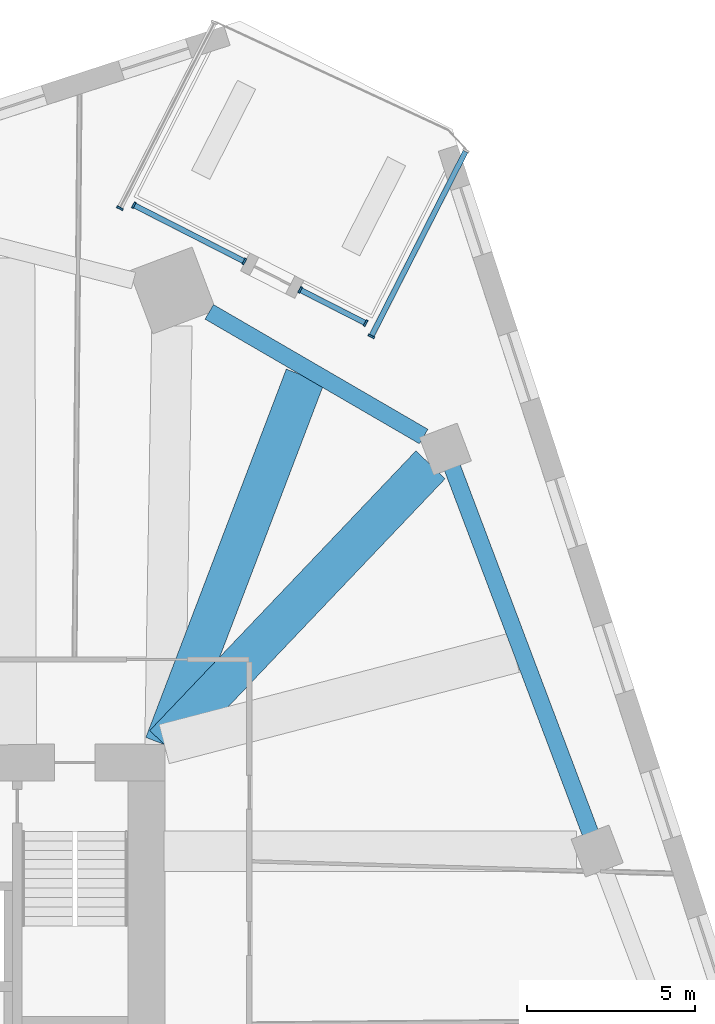
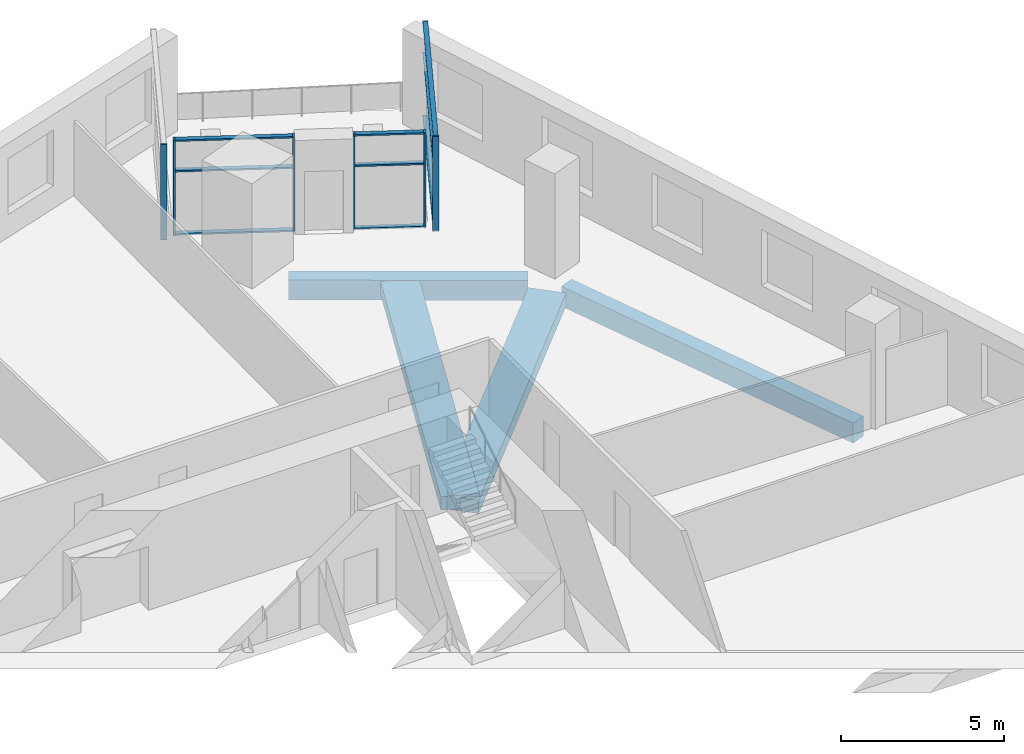
# One storey, part 2 of 12: 15 members, 4 beams, 4 elements without a shape of their own.
"""IFC4 building model written with IfcOpenShell, lengths in metres."""

from ifc_helpers import new_model, si_unit, direction, frame, origin, origin_2d, place, context, subcontext, project, spatial, rectangle, extrude, material, material_profile, profile_set, type_object, element, aggregate, save


model = new_model("IFC4")

# Units and contexts
model_context = context("Model", 3, precision=1e-05, world=origin(), true_north=direction((0.0, 1.0)))
body_context = subcontext(model_context, "Body", "Model", "MODEL_VIEW")
ifc_project = project(units=[si_unit("LENGTHUNIT", "METRE"), si_unit("AREAUNIT", "SQUARE_METRE"), si_unit("VOLUMEUNIT", "CUBIC_METRE"), si_unit("PLANEANGLEUNIT", "RADIAN"), si_unit("MASSUNIT", "GRAM", prefix="KILO")], contexts=[model_context])

# Site, building, storey
site_placement = place(None, origin())
site = spatial("IfcSite", under=ifc_project, at=site_placement, CompositionType="ELEMENT")
building_placement = place(site_placement, origin())
building = spatial("IfcBuilding", under=site, at=building_placement, Name="Dilmun Exchange Tower", CompositionType="ELEMENT")
storey_placement = place(building_placement, frame((0.0, 0.0, 94.10009765625)))
storey = spatial("IfcBuildingStorey", under=building, at=storey_placement, Name="L21", CompositionType="ELEMENT", Elevation=94.10009765625)

# Curtain wall, member
ifc_material_1 = material(Name="Anodised aluminium and clear glass", Category="aluminium")
curtain_wall_type = type_object("IfcCurtainWallType", Name="Garden corner glazing", PredefinedType="NOTDEFINED", material=ifc_material_1)
curtain_wall_1_placement = place(storey_placement, origin())
curtain_wall_1 = element("IfcCurtainWall", 1, at=curtain_wall_1_placement, inside=storey, type_object=curtain_wall_type, Name="Garden corner glazing run GC1.1", PredefinedType="NOTDEFINED")
ifc_material_2 = material(Name="Anodised aluminium", Category="aluminium")
ifc_material_profile_1 = material_profile(ifc_material_2, rectangle(XDim=0.199951171875, YDim=0.06005859375, at=origin_2d()), Name="AL 60x200")
ifc_profile_set_1 = profile_set([ifc_material_profile_1], Name="Anodised aluminium")
member_type_1 = type_object("IfcMemberType", Name="Garden corner glazing mullion 60 x 200", PredefinedType="MULLION", material=ifc_profile_set_1)
member_1_placement = place(storey_placement, frame((19.02392578125, 24.994140625, 0.0), z_axis=(0.0, 0.0, 1.0), x_axis=(0.891007485315, -0.453988613418, 0.0)))
member_1 = element("IfcMember", 2, at=member_1_placement, type_object=member_type_1, Name="GC1.1 mullion 2", PredefinedType="MULLION", context=body_context, shape_type="SweptSolid", body=[
    extrude(rectangle(XDim=0.199951171875, YDim=0.06005859375, at=origin_2d()), origin(), (0.0, 0.0, 1.0), 3.579833984375),
])

# Curtain wall, members
curtain_wall_2_placement = place(storey_placement, origin())
curtain_wall_2 = element("IfcCurtainWall", 3, at=curtain_wall_2_placement, inside=storey, type_object=curtain_wall_type, Name="Garden corner glazing run GC2.1", PredefinedType="NOTDEFINED")
member_2_placement = place(storey_placement, frame((18.8525390625, 25.384521484375, 0.0), z_axis=(0.0, 0.0, 1.0), x_axis=(-0.453971274184, -0.891016319837, 0.0)))
member_2 = element("IfcMember", 4, at=member_2_placement, type_object=member_type_1, Name="GC2.1 mullion 1", PredefinedType="MULLION", context=body_context, shape_type="SweptSolid", body=[
    extrude(rectangle(XDim=0.199951171875, YDim=0.06005859375, at=origin_2d()), origin(), (0.0, 0.0, 1.0), 3.579833984375),
])
member_3_placement = place(storey_placement, frame((16.910888671875, 26.373779296875, 0.0), z_axis=(0.0, 0.0, 1.0), x_axis=(-0.453971274184, -0.891016319837, 0.0)))
member_3 = element("IfcMember", 5, at=member_3_placement, type_object=member_type_1, Name="GC2.1 mullion 2", PredefinedType="MULLION", context=body_context, shape_type="SweptSolid", body=[
    extrude(rectangle(XDim=0.199951171875, YDim=0.06005859375, at=origin_2d()), origin(), (0.0, 0.0, 1.0), 3.579833984375),
])

curtain_wall_3_placement = place(storey_placement, origin())
curtain_wall_3 = element("IfcCurtainWall", 6, at=curtain_wall_3_placement, inside=storey, type_object=curtain_wall_type, Name="Garden corner glazing run GC2.3", PredefinedType="NOTDEFINED")
member_4_placement = place(storey_placement, frame((15.253662109375, 27.21826171875, 0.0), z_axis=(0.0, 0.0, 1.0), x_axis=(-0.453993889512, -0.891004797005, 0.0)))
member_4 = element("IfcMember", 7, at=member_4_placement, type_object=member_type_1, Name="GC2.3 mullion 1", PredefinedType="MULLION", context=body_context, shape_type="SweptSolid", body=[
    extrude(rectangle(XDim=0.199951171875, YDim=0.06005859375, at=origin_2d()), origin(), (0.0, 0.0, 1.0), 3.579833984375),
])
member_5_placement = place(storey_placement, frame((11.9755859375, 28.888671875, 0.0), z_axis=(0.0, 0.0, 1.0), x_axis=(-0.453993889512, -0.891004797005, 0.0)))
member_5 = element("IfcMember", 8, at=member_5_placement, type_object=member_type_1, Name="GC2.3 mullion 2", PredefinedType="MULLION", context=body_context, shape_type="SweptSolid", body=[
    extrude(rectangle(XDim=0.199951171875, YDim=0.06005859375, at=origin_2d()), origin(), (0.0, 0.0, 1.0), 3.579833984375),
])

# Curtain wall, member
curtain_wall_4_placement = place(storey_placement, origin())
curtain_wall_4 = element("IfcCurtainWall", 9, at=curtain_wall_4_placement, inside=storey, type_object=curtain_wall_type, Name="Garden corner glazing run GC3.1", PredefinedType="NOTDEFINED")
member_6_placement = place(storey_placement, frame((11.558837890625, 28.7978515625, 0.0), z_axis=(0.0, 0.0, 1.0), x_axis=(-0.891007485315, 0.453988613418, 0.0)))
member_6 = element("IfcMember", 10, at=member_6_placement, type_object=member_type_1, Name="GC3.1 mullion 1", PredefinedType="MULLION", context=body_context, shape_type="SweptSolid", body=[
    extrude(rectangle(XDim=0.199951171875, YDim=0.06005859375, at=origin_2d()), origin(), (0.0, 0.0, 1.0), 3.579833984375),
])
aggregate(curtain_wall_4, [member_6])

# Member
ifc_material_profile_2 = material_profile(ifc_material_2, rectangle(XDim=0.159912109375, YDim=0.06005859375, at=origin_2d()), Name="AL 60x160")
ifc_profile_set_2 = profile_set([ifc_material_profile_2], Name="Anodised aluminium")
member_type_2 = type_object("IfcMemberType", Name="Garden corner glazing transom 60 x 160", PredefinedType="USERDEFINED", material=ifc_profile_set_2)
member_7_placement = place(storey_placement, frame((21.81884765625, 30.479736328125, 0.02978515625), z_axis=(-0.453975328977, -0.891014253915, 0.0), x_axis=(0.891014253915, -0.453975328977, 0.0)))
member_7 = element("IfcMember", 11, at=member_7_placement, type_object=member_type_2, Name="GC1.1 transom 1.1", ObjectType="TRANSOM", PredefinedType="USERDEFINED", context=body_context, shape_type="SweptSolid", body=[
    extrude(rectangle(XDim=0.159912109375, YDim=0.06005859375, at=origin_2d()), origin(), (0.0, 0.0, 1.0), 6.12646484375),
])

member_8_placement = place(storey_placement, frame((21.81884765625, 30.479736328125, 2.39990234375), z_axis=(-0.453975328977, -0.891014253915, 0.0), x_axis=(0.891014253915, -0.453975328977, 0.0)))
member_8 = element("IfcMember", 12, at=member_8_placement, type_object=member_type_2, Name="GC1.1 transom 1.2", ObjectType="TRANSOM", PredefinedType="USERDEFINED", context=body_context, shape_type="SweptSolid", body=[
    extrude(rectangle(XDim=0.159912109375, YDim=0.06005859375, at=origin_2d()), origin(), (0.0, 0.0, 1.0), 6.12646484375),
])

member_9_placement = place(storey_placement, frame((21.81884765625, 30.479736328125, 3.5498046875), z_axis=(-0.453975328977, -0.891014253915, 0.0), x_axis=(0.891014253915, -0.453975328977, 0.0)))
member_9 = element("IfcMember", 13, at=member_9_placement, type_object=member_type_2, Name="GC1.1 transom 1.3", ObjectType="TRANSOM", PredefinedType="USERDEFINED", context=body_context, shape_type="SweptSolid", body=[
    extrude(rectangle(XDim=0.159912109375, YDim=0.06005859375, at=origin_2d()), origin(), (0.0, 0.0, 1.0), 6.12646484375),
])

aggregate(curtain_wall_1, [member_1, member_7, member_8, member_9])

member_10_placement = place(storey_placement, frame((18.82568359375, 25.398193359375, 0.02978515625), z_axis=(-0.890991137199, 0.454020697142, 0.0), x_axis=(-0.454020697142, -0.890991137199, 0.0)))
member_10 = element("IfcMember", 14, at=member_10_placement, type_object=member_type_2, Name="GC2.1 transom 1.1", ObjectType="TRANSOM", PredefinedType="USERDEFINED", context=body_context, shape_type="SweptSolid", body=[
    extrude(rectangle(XDim=0.159912109375, YDim=0.06005859375, at=origin_2d()), origin(), (0.0, 0.0, 1.0), 2.119140625),
])

member_11_placement = place(storey_placement, frame((18.82568359375, 25.398193359375, 2.39990234375), z_axis=(-0.890991137199, 0.454020697142, 0.0), x_axis=(-0.454020697142, -0.890991137199, 0.0)))
member_11 = element("IfcMember", 15, at=member_11_placement, type_object=member_type_2, Name="GC2.1 transom 1.2", ObjectType="TRANSOM", PredefinedType="USERDEFINED", context=body_context, shape_type="SweptSolid", body=[
    extrude(rectangle(XDim=0.159912109375, YDim=0.06005859375, at=origin_2d()), origin(), (0.0, 0.0, 1.0), 2.119140625),
])

member_12_placement = place(storey_placement, frame((18.82568359375, 25.398193359375, 3.5498046875), z_axis=(-0.890991137199, 0.454020697142, 0.0), x_axis=(-0.454020697142, -0.890991137199, 0.0)))
member_12 = element("IfcMember", 16, at=member_12_placement, type_object=member_type_2, Name="GC2.1 transom 1.3", ObjectType="TRANSOM", PredefinedType="USERDEFINED", context=body_context, shape_type="SweptSolid", body=[
    extrude(rectangle(XDim=0.159912109375, YDim=0.06005859375, at=origin_2d()), origin(), (0.0, 0.0, 1.0), 2.119140625),
])

aggregate(curtain_wall_2, [member_2, member_3, member_10, member_11, member_12])

member_13_placement = place(storey_placement, frame((15.226806640625, 27.23193359375, 0.02978515625), z_axis=(-0.891001397756, 0.454000560789, 0.0), x_axis=(-0.454000560789, -0.891001397756, 0.0)))
member_13 = element("IfcMember", 17, at=member_13_placement, type_object=member_type_2, Name="GC2.3 transom 1.1", ObjectType="TRANSOM", PredefinedType="USERDEFINED", context=body_context, shape_type="SweptSolid", body=[
    extrude(rectangle(XDim=0.159912109375, YDim=0.06005859375, at=origin_2d()), origin(), (0.0, 0.0, 1.0), 3.619140625),
])

member_14_placement = place(storey_placement, frame((15.226806640625, 27.23193359375, 2.39990234375), z_axis=(-0.891001397756, 0.454000560789, 0.0), x_axis=(-0.454000560789, -0.891001397756, 0.0)))
member_14 = element("IfcMember", 18, at=member_14_placement, type_object=member_type_2, Name="GC2.3 transom 1.2", ObjectType="TRANSOM", PredefinedType="USERDEFINED", context=body_context, shape_type="SweptSolid", body=[
    extrude(rectangle(XDim=0.159912109375, YDim=0.06005859375, at=origin_2d()), origin(), (0.0, 0.0, 1.0), 3.619140625),
])

member_15_placement = place(storey_placement, frame((15.226806640625, 27.23193359375, 3.5498046875), z_axis=(-0.891001397756, 0.454000560789, 0.0), x_axis=(-0.454000560789, -0.891001397756, 0.0)))
member_15 = element("IfcMember", 19, at=member_15_placement, type_object=member_type_2, Name="GC2.3 transom 1.3", ObjectType="TRANSOM", PredefinedType="USERDEFINED", context=body_context, shape_type="SweptSolid", body=[
    extrude(rectangle(XDim=0.159912109375, YDim=0.06005859375, at=origin_2d()), origin(), (0.0, 0.0, 1.0), 3.619140625),
])

aggregate(curtain_wall_3, [member_4, member_5, member_13, member_14, member_15])

# Beams
ifc_material_3 = material(Name="Concrete C40/50", Category="concrete")
ifc_material_profile_3 = material_profile(ifc_material_3, rectangle(XDim=1.199951171875, YDim=0.5, at=origin_2d()), Name="1200 x 500")
ifc_profile_set_3 = profile_set([ifc_material_profile_3], Name="Concrete C40/50")
beam_type_1 = type_object("IfcBeamType", Name="RC band beam 1200 x 500 C40/50", PredefinedType="BEAM", material=ifc_profile_set_3)
beam_1_placement = place(storey_placement, frame((20.780517578125, 21.181884765625, -0.77001953125), z_axis=(-0.689333244672, -0.724444392476, 0.0), x_axis=(0.724444392476, -0.689333244672, 0.0)))
element("IfcBeam", 20, at=beam_1_placement, inside=storey, type_object=beam_type_1, Name="Band beam 16", PredefinedType="BEAM", context=body_context, shape_type="SweptSolid", body=[
    extrude(rectangle(XDim=1.199951171875, YDim=0.5, at=origin_2d()), origin(), (0.0, 0.0, 1.0), 11.459228515625),
])
beam_2_placement = place(storey_placement, frame((17.059326171875, 23.806640625, -0.670166015625), z_axis=(-0.356325045493, -0.934362061491, 0.0), x_axis=(0.934362061491, -0.356325045493, 0.0)))
element("IfcBeam", 21, at=beam_2_placement, inside=storey, type_object=beam_type_1, Name="Band beam 32", PredefinedType="BEAM", context=body_context, shape_type="SweptSolid", body=[
    extrude(rectangle(XDim=1.199951171875, YDim=0.5, at=origin_2d()), origin(), (0.0, 0.0, 1.0), 11.699951171875),
])
ifc_material_profile_4 = material_profile(ifc_material_3, rectangle(XDim=0.5, YDim=0.75, at=origin_2d()), Name="500 x 750")
ifc_profile_set_4 = profile_set([ifc_material_profile_4], Name="Concrete C40/50")
beam_type_2 = type_object("IfcBeamType", Name="RC ring beam 500 x 750 C40/50", PredefinedType="SPANDREL", material=ifc_profile_set_4)
beam_3_placement = place(storey_placement, frame((25.5234375, 10.2529296875, -0.795166015625), z_axis=(-0.353303601311, 0.935508720056, 0.0), x_axis=(-0.935508720056, -0.353303601311, 0.0)))
element("IfcBeam", 22, at=beam_3_placement, inside=storey, type_object=beam_type_2, Name="Ring beam 15", PredefinedType="SPANDREL", context=body_context, shape_type="SweptSolid", body=[
    extrude(rectangle(XDim=0.5, YDim=0.75, at=origin_2d()), origin(), (0.0, 0.0, 1.0), 11.604248046875),
])
beam_4_placement = place(storey_placement, frame((20.57568359375, 22.020263671875, -0.795166015625), z_axis=(-0.864503499359, 0.50262679952, 0.0), x_axis=(-0.50262679952, -0.864503499359, 0.0)))
element("IfcBeam", 23, at=beam_4_placement, inside=storey, type_object=beam_type_2, Name="Ring beam 16", PredefinedType="SPANDREL", context=body_context, shape_type="SweptSolid", body=[
    extrude(rectangle(XDim=0.5, YDim=0.75, at=origin_2d()), origin(), (0.0, 0.0, 1.0), 7.35986328125),
])

save(model, "model.ifc")
